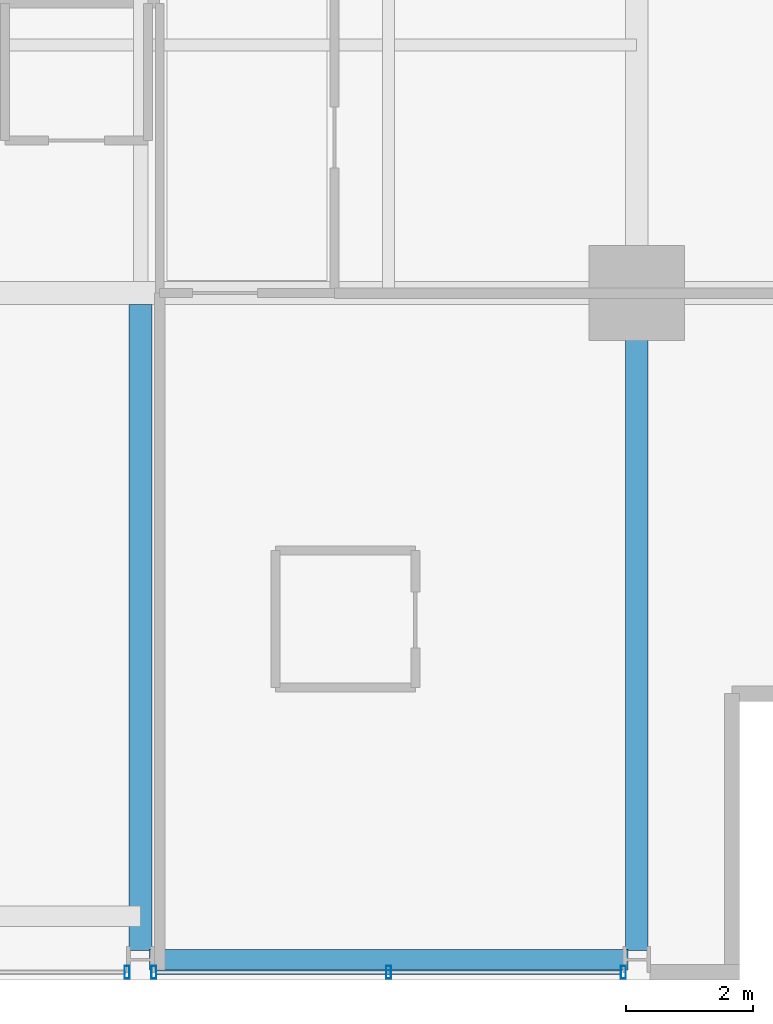
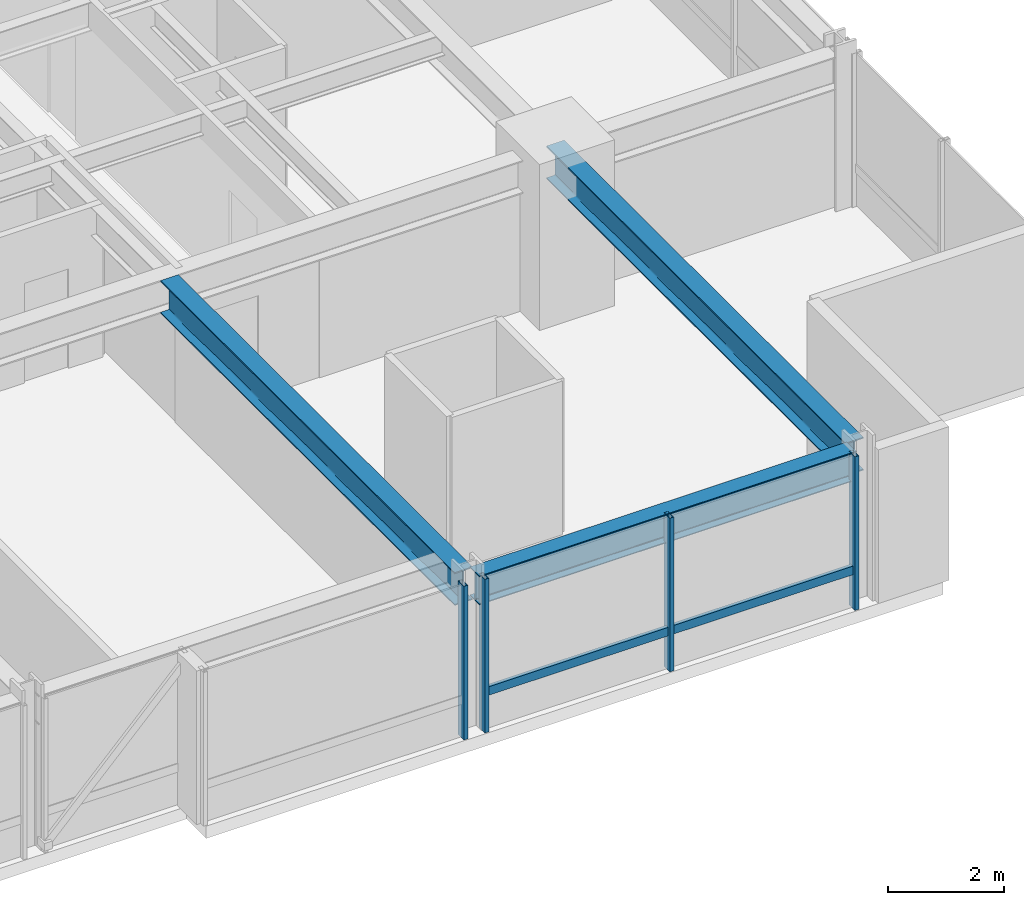
# One storey, part 11 of 35: 5 members, 3 beams, 2 elements without a shape of their own.
"""IFC4 building model written with IfcOpenShell, lengths in metres."""

import ifcopenshell
import ifcopenshell.guid

model = None  # the IFC model being written
_history = None  # IfcOwnerHistory: only IFC2X3 demands one
_inside = {}  # id of a spatial element -> (the spatial element, [elements in it])
_under = {}  # id of a project, library or spatial element -> (it, [spatial elements below it])
_declared = {}  # id of a project -> (the project, [libraries it declares])
_typed = {}  # id of a type object -> (the type object, [elements of that type])
_made_of = {}  # id of a material, layer set ... -> (it, [elements and type objects made of it])


def new_model(schema):
    """Start an empty IFC model of exactly this schema.

    Asked for "IFC4X3", IfcOpenShell would pick the latest addendum, in which some entities
    have other attributes; the version numbers below select the first issue.
    IFC2X3 requires an IfcOwnerHistory on every rooted entity: one is made here for all.
    """
    global model, _history
    if schema == "IFC4X3":
        model = ifcopenshell.file(schema_version=(4, 3, 0, 0))
    else:
        model = ifcopenshell.file(schema=schema)
    _inside.clear()
    _under.clear()
    _declared.clear()
    _typed.clear()
    _made_of.clear()
    _history = None
    if model.schema == "IFC2X3":
        org = make("IfcOrganization", Name="unknown")
        user = make(
            "IfcPersonAndOrganization",
            ThePerson=make("IfcPerson", FamilyName="unknown"),
            TheOrganization=org,
        )
        app = make(
            "IfcApplication",
            ApplicationDeveloper=org,
            Version="unknown",
            ApplicationFullName="unknown",
            ApplicationIdentifier="unknown",
        )
        _history = make(
            "IfcOwnerHistory",
            OwningUser=user,
            OwningApplication=app,
            ChangeAction="ADDED",
            CreationDate=0,
        )
    return model


def make(cls, **values):
    """One entity of the class cls with the attributes given. An attribute that is None is left unset."""
    return model.create_entity(
        cls, **{name: value for name, value in values.items() if value is not None}
    )


def rooted(cls, **values):
    """An entity with a GlobalId (a new one), such as an element, a storey or a relation."""
    return make(cls, GlobalId=ifcopenshell.guid.new(), OwnerHistory=_history, **values)


def si_unit(unit_type, name, prefix=None):
    """IfcSIUnit, for example si_unit("LENGTHUNIT", "METRE", prefix="MILLI")."""
    return make("IfcSIUnit", UnitType=unit_type, Prefix=prefix, Name=name)


def assignment(units):
    """IfcUnitAssignment: the units of a project."""
    return None if units is None else make("IfcUnitAssignment", Units=units)


def point(xyz):
    """IfcCartesianPoint."""
    return None if xyz is None else make("IfcCartesianPoint", Coordinates=xyz)


def direction(xyz):
    """IfcDirection."""
    return None if xyz is None else make("IfcDirection", DirectionRatios=xyz)


def frame(location, z_axis=None, x_axis=None):
    """IfcAxis2Placement3D, a coordinate frame: its origin and axes. An axis left out is left unset."""
    return make(
        "IfcAxis2Placement3D",
        Location=point(location),
        Axis=direction(z_axis),
        RefDirection=direction(x_axis),
    )


def frame_2d(location, x_axis=None):
    """IfcAxis2Placement2D, a coordinate frame in the plane: its origin and x axis."""
    return make(
        "IfcAxis2Placement2D", Location=point(location), RefDirection=direction(x_axis)
    )


def origin():
    """The frame at (0, 0, 0) with its axes left unset."""
    return frame((0.0, 0.0, 0.0))


def origin_2d():
    """The frame at (0, 0) in the plane with its x axis left unset."""
    return frame_2d((0.0, 0.0))


def place(relative_to, where):
    """IfcLocalPlacement: puts the frame where relative to a parent placement (None: the world)."""
    return make(
        "IfcLocalPlacement", PlacementRelTo=relative_to, RelativePlacement=where
    )


def context(
    kind, dimensions, precision=None, world=None, true_north=None, identifier=None
):
    """IfcGeometricRepresentationContext, for example the 3D "Model" context."""
    return make(
        "IfcGeometricRepresentationContext",
        ContextIdentifier=identifier,
        ContextType=kind,
        CoordinateSpaceDimension=dimensions,
        Precision=precision,
        WorldCoordinateSystem=world,
        TrueNorth=true_north,
    )


def subcontext(parent, identifier, kind, view, scale=None):
    """IfcGeometricRepresentationSubContext, for example "Body" below "Model"."""
    return make(
        "IfcGeometricRepresentationSubContext",
        ContextIdentifier=identifier,
        ContextType=kind,
        ParentContext=parent,
        TargetScale=scale,
        TargetView=view,
    )


def project(units=None, contexts=None):
    """IfcProject with its units and contexts."""
    return rooted(
        "IfcProject",
        Name="project",
        RepresentationContexts=contexts,
        UnitsInContext=assignment(units),
    )


def spatial(cls, under=None, at=None, **own):
    """A site, building, storey or space (cls), placed at a placement, below another one or the project."""
    s = rooted(cls, ObjectPlacement=at, **own)
    if under is not None:
        _under.setdefault(under.id(), (under, []))[1].append(s)
    return s


def profile(cls, at=None, kind="AREA", **sizes):
    """A parametric profile (cls). Its sizes go by their IFC names, for example OverallWidth=200.0."""
    return make(cls, ProfileType=kind, Position=at, **sizes)


def hollow_rectangle(**sizes):
    """IfcRectangleHollowProfileDef."""
    return profile("IfcRectangleHollowProfileDef", **sizes)


def i_section(**sizes):
    """IfcIShapeProfileDef."""
    return profile("IfcIShapeProfileDef", **sizes)


def extrude(swept, where, along, depth):
    """IfcExtrudedAreaSolid: the profile swept, set in the frame where, extruded along a direction by depth."""
    return make(
        "IfcExtrudedAreaSolid",
        SweptArea=swept,
        Position=where,
        ExtrudedDirection=direction(along),
        Depth=depth,
    )


def shape(context_of_items, identifier, shape_type, items):
    """IfcShapeRepresentation: the items that make up one representation, for example the "Body"."""
    return make(
        "IfcShapeRepresentation",
        ContextOfItems=context_of_items,
        RepresentationIdentifier=identifier,
        RepresentationType=shape_type,
        Items=items,
    )


def material(Name=None, Category=None):
    """IfcMaterial."""
    return make("IfcMaterial", Name=Name, Category=Category)


def layer(
    of_material, thickness, ventilated=None, Name=None, Category=None, Priority=None
):
    """IfcMaterialLayer: one layer of a wall or slab, of a material (None: an air gap)."""
    return make(
        "IfcMaterialLayer",
        Material=of_material,
        LayerThickness=thickness,
        IsVentilated=ventilated,
        Name=Name,
        Category=Category,
        Priority=Priority,
    )


def layer_set(layers, Name=None):
    """IfcMaterialLayerSet."""
    return make("IfcMaterialLayerSet", MaterialLayers=layers, LayerSetName=Name)


def material_profile(
    of_material, cross_section, Name=None, Category=None, Priority=None
):
    """IfcMaterialProfile: a cross section and its material."""
    return make(
        "IfcMaterialProfile",
        Name=Name,
        Material=of_material,
        Profile=cross_section,
        Priority=Priority,
        Category=Category,
    )


def profile_set(profiles, Name=None, composite=None):
    """IfcMaterialProfileSet."""
    return make(
        "IfcMaterialProfileSet",
        Name=Name,
        MaterialProfiles=profiles,
        CompositeProfile=composite,
    )


def made_of(thing, what):
    """Note that an element or type object is made of a material, layer set ...; save() writes the relation."""
    if what is not None:
        _made_of.setdefault(what.id(), (what, []))[1].append(thing)
    return thing


def type_object(cls, material=None, **own):
    """A type object (cls), such as IfcWallType, which elements share."""
    return made_of(rooted(cls, **own), material)


def element(
    cls,
    number,
    at=None,
    inside=None,
    cuts=None,
    type_object=None,
    material=None,
    context=None,
    identifier="Body",
    shape_type=None,
    held_by="IfcProductDefinitionShape",
    body=None,
    shapes=None,
    **own,
):
    """One element of the class cls, such as IfcWall. Its Tag is "e" and its number.

    at: its placement. inside: the storey or other place that contains it. cuts: it is an
    opening in that element (IfcRelVoidsElement). A single representation is given by context,
    identifier, shape_type and body (its items); several are given by shapes. held_by: the class
    of the entity that holds the representations. save() writes the other relations.
    """
    e = rooted(cls, Tag="e%d" % number, ObjectPlacement=at, **own)
    if body is not None:
        shapes = [shape(context, identifier, shape_type, body)]
    if shapes is not None:
        e.Representation = make(held_by, Representations=shapes)
    if inside is not None:
        _inside.setdefault(inside.id(), (inside, []))[1].append(e)
    if cuts is not None:
        rooted(
            "IfcRelVoidsElement", RelatingBuildingElement=cuts, RelatedOpeningElement=e
        )
    if type_object is not None:
        _typed.setdefault(type_object.id(), (type_object, []))[1].append(e)
    return made_of(e, material)


def aggregate(whole, parts):
    """IfcRelAggregates: a whole, such as a stair, and the parts it consists of."""
    return rooted("IfcRelAggregates", RelatingObject=whole, RelatedObjects=parts)


def save(model, path):
    """Write the relations noted so far, then the file.

    IfcRelAggregates (storeys below a building ...), IfcRelContainedInSpatialStructure (elements
    in a storey), IfcRelDefinesByType, IfcRelAssociatesMaterial and IfcRelDeclares: one each for
    every whole, place, type object, material and project.
    """
    for whole, parts in _under.values():
        aggregate(whole, parts)
    for where, things in _inside.values():
        rooted(
            "IfcRelContainedInSpatialStructure",
            RelatedElements=things,
            RelatingStructure=where,
        )
    for kind, things in _typed.values():
        rooted("IfcRelDefinesByType", RelatedObjects=things, RelatingType=kind)
    for what, things in _made_of.values():
        rooted("IfcRelAssociatesMaterial", RelatedObjects=things, RelatingMaterial=what)
    for by, libraries in _declared.values():
        rooted("IfcRelDeclares", RelatingContext=by, RelatedDefinitions=libraries)
    model.write(path)


model = new_model("IFC4")

# Units and contexts
model_context = context("Model", 3, precision=1e-05, world=origin(), true_north=direction((0.0, 1.0)))
body_context = subcontext(model_context, "Body", "Model", "MODEL_VIEW")
ifc_project = project(units=[si_unit("LENGTHUNIT", "METRE"), si_unit("AREAUNIT", "SQUARE_METRE"), si_unit("VOLUMEUNIT", "CUBIC_METRE"), si_unit("PLANEANGLEUNIT", "RADIAN"), si_unit("MASSUNIT", "GRAM", prefix="KILO")], contexts=[model_context])

# Site, building, storey
site_placement = place(None, origin())
site = spatial("IfcSite", under=ifc_project, at=site_placement, CompositionType="ELEMENT")
building_placement = place(site_placement, origin())
building = spatial("IfcBuilding", under=site, at=building_placement, Name="Drelvath Grand Hotel", CompositionType="ELEMENT")
storey_placement = place(building_placement, frame((0.0, 0.0, 123.300048828125)))
storey = spatial("IfcBuildingStorey", under=building, at=storey_placement, Name="L31", CompositionType="ELEMENT", Elevation=123.300048828125)

# Curtain wall, member
ifc_material_1 = material(Name="Champagne Bronze Anodised Aluminium Frame", Category="aluminium")
ifc_layer = layer(ifc_material_1, 0.199951171875)
ifc_layer_set = layer_set([ifc_layer], Name="Champagne Bronze Anodised Aluminium Frame")
curtain_wall_type = type_object("IfcCurtainWallType", Name="Stick Curtain Wall CW-03 Champagne Bronze Mid-Rise", PredefinedType="NOTDEFINED", material=ifc_layer_set)
curtain_wall_1_placement = place(storey_placement, origin())
curtain_wall_1 = element("IfcCurtainWall", 1, at=curtain_wall_1_placement, inside=storey, type_object=curtain_wall_type, Name="L31 CW-03 Curtain Wall CW03-L31-SE2", PredefinedType="NOTDEFINED")
ifc_material_profile_1 = material_profile(ifc_material_1, hollow_rectangle(XDim=0.074951171875, YDim=0.179931640625, WallThickness=0.0048828125, at=origin_2d()), Name="HSS180X75X5")
ifc_profile_set_1 = profile_set([ifc_material_profile_1], Name="Champagne Bronze Anodised Aluminium Frame")
member_type_1 = type_object("IfcMemberType", Name="Curtain Wall Horizontal Transom CW-03 HSS180X75X5", PredefinedType="USERDEFINED", material=ifc_profile_set_1)
member_1_placement = place(storey_placement, frame((15.95068359375, 0.1201171875, 0.81005859375), z_axis=(-1.0, 0.0, 0.0), x_axis=(0.0, -1.0, 0.0)))
member_1 = element("IfcMember", 2, at=member_1_placement, type_object=member_type_1, Name="CW03-L31-SE2 Sill Transom", ObjectType="TRANSOM", PredefinedType="USERDEFINED", context=body_context, shape_type="SweptSolid", body=[
    extrude(hollow_rectangle(XDim=0.074951171875, YDim=0.179931640625, WallThickness=0.0048828125, at=origin_2d()), origin(), (0.0, 0.0, 1.0), 7.30126953125),
])

curtain_wall_2_placement = place(storey_placement, origin())
curtain_wall_2 = element("IfcCurtainWall", 3, at=curtain_wall_2_placement, inside=storey, type_object=curtain_wall_type, Name="L31 CW-03 Curtain Wall CW03-L31-SE1", PredefinedType="NOTDEFINED")
ifc_material_profile_2 = material_profile(ifc_material_1, hollow_rectangle(XDim=0.080078125, YDim=0.199951171875, WallThickness=0.0048828125, at=origin_2d()), Name="HSS200X80X5")
ifc_profile_set_2 = profile_set([ifc_material_profile_2], Name="Champagne Bronze Anodised Aluminium Frame")
member_type_2 = type_object("IfcMemberType", Name="Curtain Wall Vertical Mullion CW-03 HSS200X80X5", PredefinedType="MULLION", material=ifc_profile_set_2)
member_2_placement = place(storey_placement, frame((8.190673828125, 0.1201171875, 0.0), z_axis=(0.0, 0.0, 1.0), x_axis=(1.0, 0.0, 0.0)))
member_2 = element("IfcMember", 4, at=member_2_placement, type_object=member_type_2, Name="CW03-L31-SE1 Mullion 1", PredefinedType="MULLION", context=body_context, shape_type="SweptSolid", body=[
    extrude(hollow_rectangle(XDim=0.080078125, YDim=0.199951171875, WallThickness=0.0048828125, at=origin_2d()), origin(), (0.0, 0.0, 1.0), 3.239990234375),
])
aggregate(curtain_wall_2, [member_2])

# Member
member_3_placement = place(storey_placement, frame((15.990478515625, 0.1201171875, 0.0), z_axis=(0.0, 0.0, 1.0), x_axis=(1.0, 0.0, 0.0)))
member_3 = element("IfcMember", 5, at=member_3_placement, type_object=member_type_2, Name="CW03-L31-SE2 Mullion 1", PredefinedType="MULLION", context=body_context, shape_type="SweptSolid", body=[
    extrude(hollow_rectangle(XDim=0.080078125, YDim=0.199951171875, WallThickness=0.0048828125, at=origin_2d()), origin(), (0.0, 0.0, 1.0), 3.239990234375),
])

member_4_placement = place(storey_placement, frame((12.300048828125, 0.1201171875, 0.0), z_axis=(0.0, 0.0, 1.0), x_axis=(1.0, 0.0, 0.0)))
member_4 = element("IfcMember", 6, at=member_4_placement, type_object=member_type_2, Name="CW03-L31-SE2 Mullion 2", PredefinedType="MULLION", context=body_context, shape_type="SweptSolid", body=[
    extrude(hollow_rectangle(XDim=0.080078125, YDim=0.199951171875, WallThickness=0.0048828125, at=origin_2d()), origin(), (0.0, 0.0, 1.0), 3.239990234375),
])

member_5_placement = place(storey_placement, frame((8.609375, 0.1201171875, 0.0), z_axis=(0.0, 0.0, 1.0), x_axis=(1.0, 0.0, 0.0)))
member_5 = element("IfcMember", 7, at=member_5_placement, type_object=member_type_2, Name="CW03-L31-SE2 Mullion 3", PredefinedType="MULLION", context=body_context, shape_type="SweptSolid", body=[
    extrude(hollow_rectangle(XDim=0.080078125, YDim=0.199951171875, WallThickness=0.0048828125, at=origin_2d()), origin(), (0.0, 0.0, 1.0), 3.239990234375),
])

aggregate(curtain_wall_1, [member_3, member_4, member_5, member_1])

# Beams
ifc_material_2 = material(Name="Steel ASTM A992 Gr 50", Category="steel")
ifc_material_profile_3 = material_profile(ifc_material_2, i_section(OverallWidth=0.323974609375, OverallDepth=0.611083984375, WebThickness=0.0126953125, FlangeThickness=0.01904296875, FilletRadius=0.02197265625, at=origin_2d()), Name="W24X104")
ifc_profile_set_3 = profile_set([ifc_material_profile_3], Name="Steel ASTM A992 Gr 50")
beam_type_1 = type_object("IfcBeamType", Name="Perimeter Spandrel Beam W24X104", PredefinedType="SPANDREL", material=ifc_profile_set_3)
beam_1_placement = place(storey_placement, frame((8.5400390625, 0.320068359375, 2.9345703125), z_axis=(1.0, 0.0, 0.0), x_axis=(0.0, 1.0, 0.0)))
element("IfcBeam", 8, at=beam_1_placement, inside=storey, type_object=beam_type_1, Name="L31 Spandrel South E", PredefinedType="SPANDREL", context=body_context, shape_type="SweptSolid", body=[
    extrude(i_section(OverallWidth=0.323974609375, OverallDepth=0.611083984375, WebThickness=0.0126953125, FlangeThickness=0.01904296875, FilletRadius=0.02197265625, at=origin_2d()), origin(), (0.0, 0.0, 1.0), 7.52001953125),
])
ifc_material_profile_4 = material_profile(ifc_material_2, i_section(OverallWidth=0.354736328125, OverallDepth=0.695556640625, WebThickness=0.015380859375, FlangeThickness=0.025146484375, FilletRadius=0.02392578125, at=origin_2d()), Name="W27X146")
ifc_profile_set_4 = profile_set([ifc_material_profile_4], Name="Steel ASTM A992 Gr 50")
beam_type_2 = type_object("IfcBeamType", Name="Primary Floor Girder W27X146", PredefinedType="BEAM", material=ifc_profile_set_4)
beam_2_placement = place(storey_placement, frame((16.199951171875, 0.4599609375, 2.892333984375), z_axis=(0.0, 1.0, 0.0), x_axis=(-1.0, 0.0, 0.0)))
element("IfcBeam", 9, at=beam_2_placement, inside=storey, type_object=beam_type_2, Name="L31 South Grid Girder 7", PredefinedType="BEAM", context=body_context, shape_type="SweptSolid", body=[
    extrude(i_section(OverallWidth=0.354736328125, OverallDepth=0.695556640625, WebThickness=0.015380859375, FlangeThickness=0.025146484375, FilletRadius=0.02392578125, at=origin_2d()), origin(), (0.0, 0.0, 1.0), 10.340087890625),
])
beam_3_placement = place(storey_placement, frame((8.39990234375, 0.4599609375, 2.892333984375), z_axis=(0.0, 1.0, 0.0), x_axis=(-1.0, 0.0, 0.0)))
element("IfcBeam", 10, at=beam_3_placement, inside=storey, type_object=beam_type_2, Name="L31 South Wing Girder 6", PredefinedType="BEAM", context=body_context, shape_type="SweptSolid", body=[
    extrude(i_section(OverallWidth=0.354736328125, OverallDepth=0.695556640625, WebThickness=0.015380859375, FlangeThickness=0.025146484375, FilletRadius=0.02392578125, at=origin_2d()), origin(), (0.0, 0.0, 1.0), 10.16259765625),
])

save(model, "model.ifc")
